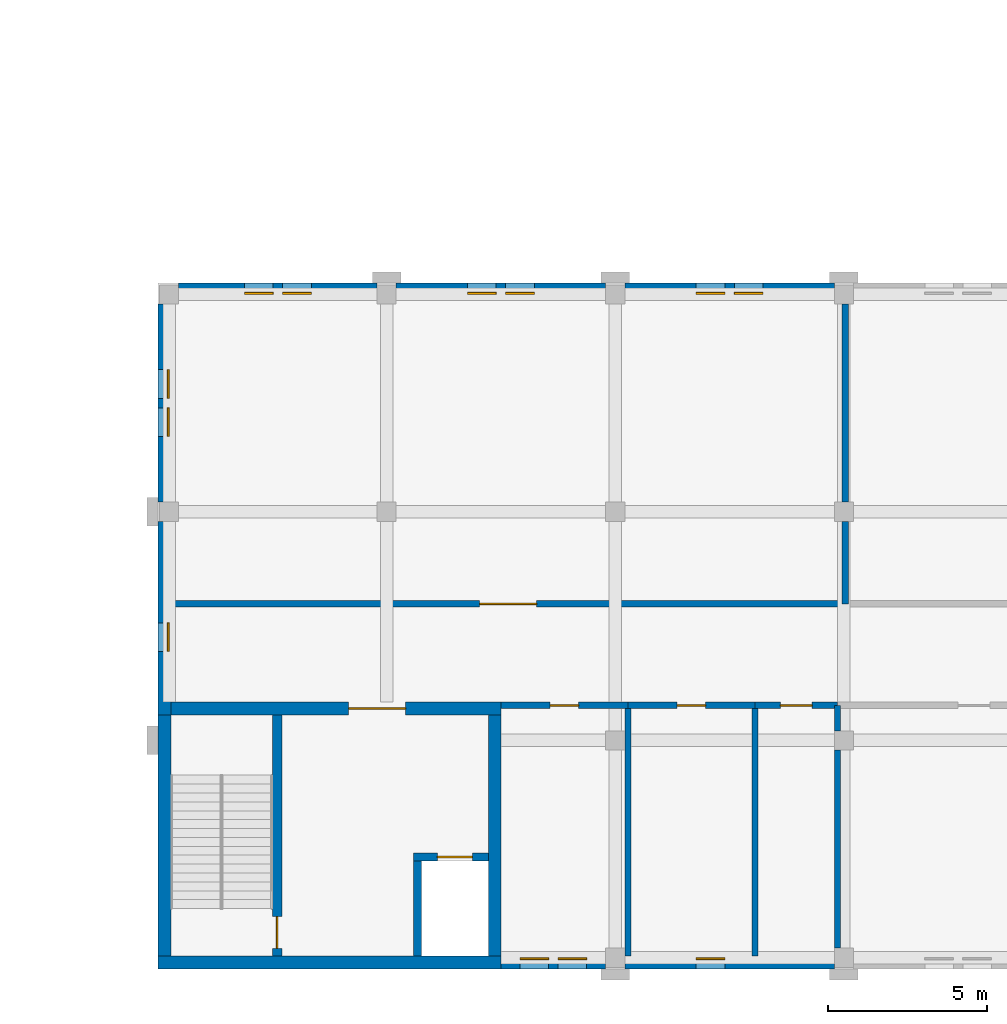
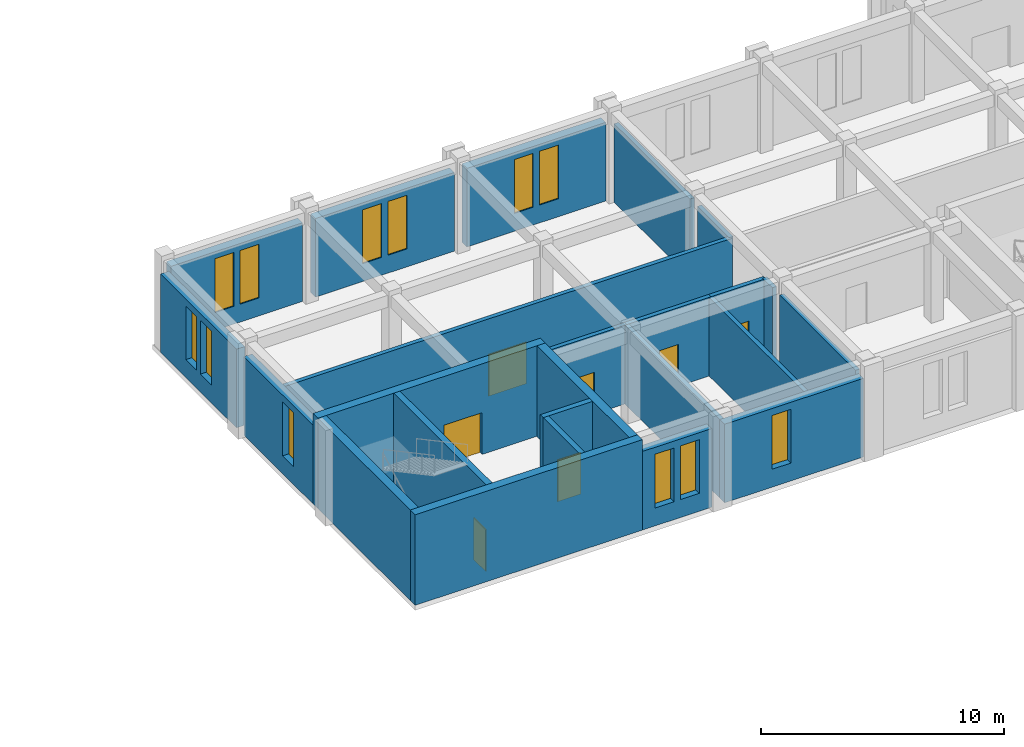
# One storey, part 136 of 149: 24 walls, 12 windows, 7 doors, 19 openings.
"""IFC4 building model written with IfcOpenShell, lengths in metres."""

import ifcopenshell
import ifcopenshell.guid

model = None  # the IFC model being written
_history = None  # IfcOwnerHistory: only IFC2X3 demands one
_inside = {}  # id of a spatial element -> (the spatial element, [elements in it])
_under = {}  # id of a project, library or spatial element -> (it, [spatial elements below it])
_declared = {}  # id of a project -> (the project, [libraries it declares])
_typed = {}  # id of a type object -> (the type object, [elements of that type])
_made_of = {}  # id of a material, layer set ... -> (it, [elements and type objects made of it])


def new_model(schema):
    """Start an empty IFC model of exactly this schema.

    Asked for "IFC4X3", IfcOpenShell would pick the latest addendum, in which some entities
    have other attributes; the version numbers below select the first issue.
    IFC2X3 requires an IfcOwnerHistory on every rooted entity: one is made here for all.
    """
    global model, _history
    if schema == "IFC4X3":
        model = ifcopenshell.file(schema_version=(4, 3, 0, 0))
    else:
        model = ifcopenshell.file(schema=schema)
    _inside.clear()
    _under.clear()
    _declared.clear()
    _typed.clear()
    _made_of.clear()
    _history = None
    if model.schema == "IFC2X3":
        org = make("IfcOrganization", Name="unknown")
        user = make(
            "IfcPersonAndOrganization",
            ThePerson=make("IfcPerson", FamilyName="unknown"),
            TheOrganization=org,
        )
        app = make(
            "IfcApplication",
            ApplicationDeveloper=org,
            Version="unknown",
            ApplicationFullName="unknown",
            ApplicationIdentifier="unknown",
        )
        _history = make(
            "IfcOwnerHistory",
            OwningUser=user,
            OwningApplication=app,
            ChangeAction="ADDED",
            CreationDate=0,
        )
    return model


def make(cls, **values):
    """One entity of the class cls with the attributes given. An attribute that is None is left unset."""
    return model.create_entity(
        cls, **{name: value for name, value in values.items() if value is not None}
    )


def rooted(cls, **values):
    """An entity with a GlobalId (a new one), such as an element, a storey or a relation."""
    return make(cls, GlobalId=ifcopenshell.guid.new(), OwnerHistory=_history, **values)


def si_unit(unit_type, name, prefix=None):
    """IfcSIUnit, for example si_unit("LENGTHUNIT", "METRE", prefix="MILLI")."""
    return make("IfcSIUnit", UnitType=unit_type, Prefix=prefix, Name=name)


def assignment(units):
    """IfcUnitAssignment: the units of a project."""
    return None if units is None else make("IfcUnitAssignment", Units=units)


def point(xyz):
    """IfcCartesianPoint."""
    return None if xyz is None else make("IfcCartesianPoint", Coordinates=xyz)


def direction(xyz):
    """IfcDirection."""
    return None if xyz is None else make("IfcDirection", DirectionRatios=xyz)


def frame(location, z_axis=None, x_axis=None):
    """IfcAxis2Placement3D, a coordinate frame: its origin and axes. An axis left out is left unset."""
    return make(
        "IfcAxis2Placement3D",
        Location=point(location),
        Axis=direction(z_axis),
        RefDirection=direction(x_axis),
    )


def frame_2d(location, x_axis=None):
    """IfcAxis2Placement2D, a coordinate frame in the plane: its origin and x axis."""
    return make(
        "IfcAxis2Placement2D", Location=point(location), RefDirection=direction(x_axis)
    )


def origin():
    """The frame at (0, 0, 0) with its axes left unset."""
    return frame((0.0, 0.0, 0.0))


def place(relative_to, where):
    """IfcLocalPlacement: puts the frame where relative to a parent placement (None: the world)."""
    return make(
        "IfcLocalPlacement", PlacementRelTo=relative_to, RelativePlacement=where
    )


def context(
    kind, dimensions, precision=None, world=None, true_north=None, identifier=None
):
    """IfcGeometricRepresentationContext, for example the 3D "Model" context."""
    return make(
        "IfcGeometricRepresentationContext",
        ContextIdentifier=identifier,
        ContextType=kind,
        CoordinateSpaceDimension=dimensions,
        Precision=precision,
        WorldCoordinateSystem=world,
        TrueNorth=true_north,
    )


def subcontext(parent, identifier, kind, view, scale=None):
    """IfcGeometricRepresentationSubContext, for example "Body" below "Model"."""
    return make(
        "IfcGeometricRepresentationSubContext",
        ContextIdentifier=identifier,
        ContextType=kind,
        ParentContext=parent,
        TargetScale=scale,
        TargetView=view,
    )


def project(units=None, contexts=None):
    """IfcProject with its units and contexts."""
    return rooted(
        "IfcProject",
        Name="project",
        RepresentationContexts=contexts,
        UnitsInContext=assignment(units),
    )


def spatial(cls, under=None, at=None, **own):
    """A site, building, storey or space (cls), placed at a placement, below another one or the project."""
    s = rooted(cls, ObjectPlacement=at, **own)
    if under is not None:
        _under.setdefault(under.id(), (under, []))[1].append(s)
    return s


def profile(cls, at=None, kind="AREA", **sizes):
    """A parametric profile (cls). Its sizes go by their IFC names, for example OverallWidth=200.0."""
    return make(cls, ProfileType=kind, Position=at, **sizes)


def rectangle(**sizes):
    """IfcRectangleProfileDef."""
    return profile("IfcRectangleProfileDef", **sizes)


def extrude(swept, where, along, depth):
    """IfcExtrudedAreaSolid: the profile swept, set in the frame where, extruded along a direction by depth."""
    return make(
        "IfcExtrudedAreaSolid",
        SweptArea=swept,
        Position=where,
        ExtrudedDirection=direction(along),
        Depth=depth,
    )


def shape(context_of_items, identifier, shape_type, items):
    """IfcShapeRepresentation: the items that make up one representation, for example the "Body"."""
    return make(
        "IfcShapeRepresentation",
        ContextOfItems=context_of_items,
        RepresentationIdentifier=identifier,
        RepresentationType=shape_type,
        Items=items,
    )


def material(Name=None, Category=None):
    """IfcMaterial."""
    return make("IfcMaterial", Name=Name, Category=Category)


def layer(
    of_material, thickness, ventilated=None, Name=None, Category=None, Priority=None
):
    """IfcMaterialLayer: one layer of a wall or slab, of a material (None: an air gap)."""
    return make(
        "IfcMaterialLayer",
        Material=of_material,
        LayerThickness=thickness,
        IsVentilated=ventilated,
        Name=Name,
        Category=Category,
        Priority=Priority,
    )


def layer_set(layers, Name=None):
    """IfcMaterialLayerSet."""
    return make("IfcMaterialLayerSet", MaterialLayers=layers, LayerSetName=Name)


def made_of(thing, what):
    """Note that an element or type object is made of a material, layer set ...; save() writes the relation."""
    if what is not None:
        _made_of.setdefault(what.id(), (what, []))[1].append(thing)
    return thing


def type_object(cls, material=None, **own):
    """A type object (cls), such as IfcWallType, which elements share."""
    return made_of(rooted(cls, **own), material)


def element(
    cls,
    number,
    at=None,
    inside=None,
    cuts=None,
    type_object=None,
    material=None,
    context=None,
    identifier="Body",
    shape_type=None,
    held_by="IfcProductDefinitionShape",
    body=None,
    shapes=None,
    **own,
):
    """One element of the class cls, such as IfcWall. Its Tag is "e" and its number.

    at: its placement. inside: the storey or other place that contains it. cuts: it is an
    opening in that element (IfcRelVoidsElement). A single representation is given by context,
    identifier, shape_type and body (its items); several are given by shapes. held_by: the class
    of the entity that holds the representations. save() writes the other relations.
    """
    e = rooted(cls, Tag="e%d" % number, ObjectPlacement=at, **own)
    if body is not None:
        shapes = [shape(context, identifier, shape_type, body)]
    if shapes is not None:
        e.Representation = make(held_by, Representations=shapes)
    if inside is not None:
        _inside.setdefault(inside.id(), (inside, []))[1].append(e)
    if cuts is not None:
        rooted(
            "IfcRelVoidsElement", RelatingBuildingElement=cuts, RelatedOpeningElement=e
        )
    if type_object is not None:
        _typed.setdefault(type_object.id(), (type_object, []))[1].append(e)
    return made_of(e, material)


def fill(opening, filler):
    """IfcRelFillsElement: the door or window that sits in an opening."""
    return rooted(
        "IfcRelFillsElement",
        RelatingOpeningElement=opening,
        RelatedBuildingElement=filler,
    )


def aggregate(whole, parts):
    """IfcRelAggregates: a whole, such as a stair, and the parts it consists of."""
    return rooted("IfcRelAggregates", RelatingObject=whole, RelatedObjects=parts)


def save(model, path):
    """Write the relations noted so far, then the file.

    IfcRelAggregates (storeys below a building ...), IfcRelContainedInSpatialStructure (elements
    in a storey), IfcRelDefinesByType, IfcRelAssociatesMaterial and IfcRelDeclares: one each for
    every whole, place, type object, material and project.
    """
    for whole, parts in _under.values():
        aggregate(whole, parts)
    for where, things in _inside.values():
        rooted(
            "IfcRelContainedInSpatialStructure",
            RelatedElements=things,
            RelatingStructure=where,
        )
    for kind, things in _typed.values():
        rooted("IfcRelDefinesByType", RelatedObjects=things, RelatingType=kind)
    for what, things in _made_of.values():
        rooted("IfcRelAssociatesMaterial", RelatedObjects=things, RelatingMaterial=what)
    for by, libraries in _declared.values():
        rooted("IfcRelDeclares", RelatingContext=by, RelatedDefinitions=libraries)
    model.write(path)


model = new_model("IFC4")

# Units and contexts
model_context = context("Model", 3, precision=1e-05, world=origin(), true_north=direction((0.0, 1.0)))
body_context = subcontext(model_context, "Body", "Model", "MODEL_VIEW")
ifc_project = project(units=[si_unit("LENGTHUNIT", "METRE"), si_unit("AREAUNIT", "SQUARE_METRE"), si_unit("VOLUMEUNIT", "CUBIC_METRE"), si_unit("PLANEANGLEUNIT", "RADIAN"), si_unit("MASSUNIT", "GRAM", prefix="KILO")], contexts=[model_context])

# Site, building, storey
site_placement = place(None, origin())
site = spatial("IfcSite", under=ifc_project, at=site_placement, CompositionType="ELEMENT")
building_placement = place(site_placement, origin())
building = spatial("IfcBuilding", under=site, at=building_placement, Name="Alderwick Market Hall", CompositionType="ELEMENT")
storey_placement = place(building_placement, frame((0.0, 0.0, 9.60009765625)))
storey = spatial("IfcBuildingStorey", under=building, at=storey_placement, Name="L01", CompositionType="ELEMENT", Elevation=9.60009765625)

# Wall, openings, windows
ifc_material_1 = material(Name="Face brick", Category="masonry")
ifc_layer_1 = layer(ifc_material_1, 0.39990234375)
ifc_layer_set_1 = layer_set([ifc_layer_1], Name="Face brick")
wall_type_1 = type_object("IfcWallType", Name="C Brick Pier Wall 400", PredefinedType="SOLIDWALL", material=ifc_layer_set_1)
wall_1_placement = place(storey_placement, frame((159.050048828125, 28.60009765625, 0.0), z_axis=(0.0, 0.0, 1.0), x_axis=(1.0, 0.0, 0.0)))
wall_1 = element("IfcWall", 1, at=wall_1_placement, inside=storey, type_object=wall_type_1, Name="C.wall.L01.fac.front.01", PredefinedType="SOLIDWALL", context=body_context, shape_type="SweptSolid", body=[
    extrude(rectangle(XDim=6.25, YDim=0.39990234375, at=frame_2d((3.125, 0.0))), origin(), (0.0, 0.0, 1.0), 3.949951171875),
])
opening_1_placement = place(wall_1_placement, frame((2.074951171875, 0.0, 0.89990234375)))
opening_1 = element("IfcOpeningElement", 2, at=opening_1_placement, cuts=wall_1, Name="Opening C-W025", PredefinedType="OPENING", context=body_context, shape_type="SweptSolid", body=[
    extrude(rectangle(XDim=0.89990234375, YDim=2.699951171875, at=frame_2d((0.449951171875, 1.35009765625))), frame((0.0, 0.2099609375, 0.0), z_axis=(0.0, -1.0, 0.0), x_axis=(1.0, 0.0, 0.0)), (0.0, 0.0, 1.0), 0.419921875),
])
opening_2_placement = place(wall_1_placement, frame((3.27490234375, 0.0, 0.89990234375)))
opening_2 = element("IfcOpeningElement", 3, at=opening_2_placement, cuts=wall_1, Name="Opening C-W026", PredefinedType="OPENING", context=body_context, shape_type="SweptSolid", body=[
    extrude(rectangle(XDim=0.89990234375, YDim=2.699951171875, at=frame_2d((0.449951171875, 1.35009765625))), frame((0.0, 0.2099609375, 0.0), z_axis=(0.0, -1.0, 0.0), x_axis=(1.0, 0.0, 0.0)), (0.0, 0.0, 1.0), 0.419921875),
])
ifc_material_2 = material(Name="Aluminium frame, double glazing", Category="aluminium")
window_type = type_object("IfcWindowType", Name="C Paired Window 900x2700", PartitioningType="SINGLE_PANEL", PredefinedType="WINDOW", material=ifc_material_2)
window_1_placement = place(opening_1_placement, origin())
window_1 = element("IfcWindow", 4, at=window_1_placement, inside=storey, type_object=window_type, Name="C.win.L01.025", OverallHeight=2.699951171875, OverallWidth=0.89990234375, PartitioningType="SINGLE_PANEL", PredefinedType="WINDOW", context=body_context, shape_type="SweptSolid", body=[
    extrude(rectangle(XDim=0.89990234375, YDim=2.699951171875, at=frame_2d((0.449951171875, 1.35009765625))), frame((0.0, -0.090087890625, 0.0), z_axis=(0.0, -1.0, 0.0), x_axis=(1.0, 0.0, 0.0)), (0.0, 0.0, 1.0), 0.06005859375),
])
fill(opening_1, window_1)
window_2_placement = place(opening_2_placement, origin())
window_2 = element("IfcWindow", 5, at=window_2_placement, inside=storey, type_object=window_type, Name="C.win.L01.026", OverallHeight=2.699951171875, OverallWidth=0.89990234375, PartitioningType="SINGLE_PANEL", PredefinedType="WINDOW", context=body_context, shape_type="SweptSolid", body=[
    extrude(rectangle(XDim=0.89990234375, YDim=2.699951171875, at=frame_2d((0.449951171875, 1.35009765625))), frame((0.0, -0.090087890625, 0.0), z_axis=(0.0, -1.0, 0.0), x_axis=(1.0, 0.0, 0.0)), (0.0, 0.0, 1.0), 0.06005859375),
])
fill(opening_2, window_2)

wall_2_placement = place(storey_placement, frame((165.89990234375, 28.60009765625, 0.0), z_axis=(0.0, 0.0, 1.0), x_axis=(1.0, 0.0, 0.0)))
wall_2 = element("IfcWall", 6, at=wall_2_placement, inside=storey, type_object=wall_type_1, Name="C.wall.L01.fac.front.02", PredefinedType="SOLIDWALL", context=body_context, shape_type="SweptSolid", body=[
    extrude(rectangle(XDim=6.60009765625, YDim=0.39990234375, at=frame_2d((3.300048828125, 0.0))), origin(), (0.0, 0.0, 1.0), 3.949951171875),
])
opening_3_placement = place(wall_2_placement, frame((2.25, 0.0, 0.89990234375)))
opening_3 = element("IfcOpeningElement", 7, at=opening_3_placement, cuts=wall_2, Name="Opening C-W027", PredefinedType="OPENING", context=body_context, shape_type="SweptSolid", body=[
    extrude(rectangle(XDim=0.89990234375, YDim=2.699951171875, at=frame_2d((0.449951171875, 1.35009765625))), frame((0.0, 0.2099609375, 0.0), z_axis=(0.0, -1.0, 0.0), x_axis=(1.0, 0.0, 0.0)), (0.0, 0.0, 1.0), 0.419921875),
])
opening_4_placement = place(wall_2_placement, frame((3.449951171875, 0.0, 0.89990234375)))
opening_4 = element("IfcOpeningElement", 8, at=opening_4_placement, cuts=wall_2, Name="Opening C-W028", PredefinedType="OPENING", context=body_context, shape_type="SweptSolid", body=[
    extrude(rectangle(XDim=0.89990234375, YDim=2.699951171875, at=frame_2d((0.449951171875, 1.35009765625))), frame((0.0, 0.2099609375, 0.0), z_axis=(0.0, -1.0, 0.0), x_axis=(1.0, 0.0, 0.0)), (0.0, 0.0, 1.0), 0.419921875),
])
window_3_placement = place(opening_3_placement, origin())
window_3 = element("IfcWindow", 9, at=window_3_placement, inside=storey, type_object=window_type, Name="C.win.L01.027", OverallHeight=2.699951171875, OverallWidth=0.89990234375, PartitioningType="SINGLE_PANEL", PredefinedType="WINDOW", context=body_context, shape_type="SweptSolid", body=[
    extrude(rectangle(XDim=0.89990234375, YDim=2.699951171875, at=frame_2d((0.449951171875, 1.35009765625))), frame((0.0, -0.090087890625, 0.0), z_axis=(0.0, -1.0, 0.0), x_axis=(1.0, 0.0, 0.0)), (0.0, 0.0, 1.0), 0.06005859375),
])
fill(opening_3, window_3)
window_4_placement = place(opening_4_placement, origin())
window_4 = element("IfcWindow", 10, at=window_4_placement, inside=storey, type_object=window_type, Name="C.win.L01.028", OverallHeight=2.699951171875, OverallWidth=0.89990234375, PartitioningType="SINGLE_PANEL", PredefinedType="WINDOW", context=body_context, shape_type="SweptSolid", body=[
    extrude(rectangle(XDim=0.89990234375, YDim=2.699951171875, at=frame_2d((0.449951171875, 1.35009765625))), frame((0.0, -0.090087890625, 0.0), z_axis=(0.0, -1.0, 0.0), x_axis=(1.0, 0.0, 0.0)), (0.0, 0.0, 1.0), 0.06005859375),
])
fill(opening_4, window_4)

wall_3_placement = place(storey_placement, frame((173.10009765625, 28.60009765625, 0.0), z_axis=(0.0, 0.0, 1.0), x_axis=(1.0, 0.0, 0.0)))
wall_3 = element("IfcWall", 11, at=wall_3_placement, inside=storey, type_object=wall_type_1, Name="C.wall.L01.fac.front.03", PredefinedType="SOLIDWALL", context=body_context, shape_type="SweptSolid", body=[
    extrude(rectangle(XDim=6.599853515625, YDim=0.39990234375, at=frame_2d((3.2998046875, 0.0))), origin(), (0.0, 0.0, 1.0), 3.949951171875),
])
opening_5_placement = place(wall_3_placement, frame((2.25, 0.0, 0.89990234375)))
opening_5 = element("IfcOpeningElement", 12, at=opening_5_placement, cuts=wall_3, Name="Opening C-W029", PredefinedType="OPENING", context=body_context, shape_type="SweptSolid", body=[
    extrude(rectangle(XDim=0.89990234375, YDim=2.699951171875, at=frame_2d((0.449951171875, 1.35009765625))), frame((0.0, 0.2099609375, 0.0), z_axis=(0.0, -1.0, 0.0), x_axis=(1.0, 0.0, 0.0)), (0.0, 0.0, 1.0), 0.419921875),
])
opening_6_placement = place(wall_3_placement, frame((3.449951171875, 0.0, 0.89990234375)))
opening_6 = element("IfcOpeningElement", 13, at=opening_6_placement, cuts=wall_3, Name="Opening C-W030", PredefinedType="OPENING", context=body_context, shape_type="SweptSolid", body=[
    extrude(rectangle(XDim=0.89990234375, YDim=2.699951171875, at=frame_2d((0.449951171875, 1.35009765625))), frame((0.0, 0.2099609375, 0.0), z_axis=(0.0, -1.0, 0.0), x_axis=(1.0, 0.0, 0.0)), (0.0, 0.0, 1.0), 0.419921875),
])
window_5_placement = place(opening_5_placement, origin())
window_5 = element("IfcWindow", 14, at=window_5_placement, inside=storey, type_object=window_type, Name="C.win.L01.029", OverallHeight=2.699951171875, OverallWidth=0.89990234375, PartitioningType="SINGLE_PANEL", PredefinedType="WINDOW", context=body_context, shape_type="SweptSolid", body=[
    extrude(rectangle(XDim=0.89990234375, YDim=2.699951171875, at=frame_2d((0.449951171875, 1.35009765625))), frame((0.0, -0.090087890625, 0.0), z_axis=(0.0, -1.0, 0.0), x_axis=(1.0, 0.0, 0.0)), (0.0, 0.0, 1.0), 0.06005859375),
])
fill(opening_5, window_5)
window_6_placement = place(opening_6_placement, origin())
window_6 = element("IfcWindow", 15, at=window_6_placement, inside=storey, type_object=window_type, Name="C.win.L01.030", OverallHeight=2.699951171875, OverallWidth=0.89990234375, PartitioningType="SINGLE_PANEL", PredefinedType="WINDOW", context=body_context, shape_type="SweptSolid", body=[
    extrude(rectangle(XDim=0.89990234375, YDim=2.699951171875, at=frame_2d((0.449951171875, 1.35009765625))), frame((0.0, -0.090087890625, 0.0), z_axis=(0.0, -1.0, 0.0), x_axis=(1.0, 0.0, 0.0)), (0.0, 0.0, 1.0), 0.06005859375),
])
fill(opening_6, window_6)

wall_4_placement = place(storey_placement, frame((172.5, 7.39990234375, 0.0), z_axis=(0.0, 0.0, 1.0), x_axis=(-1.0, 0.0, 0.0)))
wall_4 = element("IfcWall", 16, at=wall_4_placement, inside=storey, type_object=wall_type_1, Name="C.wall.L01.fac.back.02", PredefinedType="SOLIDWALL", context=body_context, shape_type="SweptSolid", body=[
    extrude(rectangle(XDim=3.300048828125, YDim=0.39990234375, at=frame_2d((1.64990234375, 0.0))), origin(), (0.0, 0.0, 1.0), 3.949951171875),
])
opening_7_placement = place(wall_4_placement, frame((0.60009765625, 0.0, 0.89990234375)))
opening_7 = element("IfcOpeningElement", 17, at=opening_7_placement, cuts=wall_4, Name="Opening C-W040", PredefinedType="OPENING", context=body_context, shape_type="SweptSolid", body=[
    extrude(rectangle(XDim=0.89990234375, YDim=2.699951171875, at=frame_2d((0.449951171875, 1.35009765625))), frame((0.0, 0.2099609375, 0.0), z_axis=(0.0, -1.0, 0.0), x_axis=(1.0, 0.0, 0.0)), (0.0, 0.0, 1.0), 0.419921875),
])
opening_8_placement = place(wall_4_placement, frame((1.800048828125, 0.0, 0.89990234375)))
opening_8 = element("IfcOpeningElement", 18, at=opening_8_placement, cuts=wall_4, Name="Opening C-W041", PredefinedType="OPENING", context=body_context, shape_type="SweptSolid", body=[
    extrude(rectangle(XDim=0.89990234375, YDim=2.699951171875, at=frame_2d((0.449951171875, 1.35009765625))), frame((0.0, 0.2099609375, 0.0), z_axis=(0.0, -1.0, 0.0), x_axis=(1.0, 0.0, 0.0)), (0.0, 0.0, 1.0), 0.419921875),
])
window_7_placement = place(opening_7_placement, origin())
window_7 = element("IfcWindow", 19, at=window_7_placement, inside=storey, type_object=window_type, Name="C.win.L01.040", OverallHeight=2.699951171875, OverallWidth=0.89990234375, PartitioningType="SINGLE_PANEL", PredefinedType="WINDOW", context=body_context, shape_type="SweptSolid", body=[
    extrude(rectangle(XDim=0.89990234375, YDim=2.699951171875, at=frame_2d((0.449951171875, 1.35009765625))), frame((0.0, -0.090087890625, 0.0), z_axis=(0.0, -1.0, 0.0), x_axis=(1.0, 0.0, 0.0)), (0.0, 0.0, 1.0), 0.06005859375),
])
fill(opening_7, window_7)
window_8_placement = place(opening_8_placement, origin())
window_8 = element("IfcWindow", 20, at=window_8_placement, inside=storey, type_object=window_type, Name="C.win.L01.041", OverallHeight=2.699951171875, OverallWidth=0.89990234375, PartitioningType="SINGLE_PANEL", PredefinedType="WINDOW", context=body_context, shape_type="SweptSolid", body=[
    extrude(rectangle(XDim=0.89990234375, YDim=2.699951171875, at=frame_2d((0.449951171875, 1.35009765625))), frame((0.0, -0.090087890625, 0.0), z_axis=(0.0, -1.0, 0.0), x_axis=(1.0, 0.0, 0.0)), (0.0, 0.0, 1.0), 0.06005859375),
])
fill(opening_8, window_8)

# Wall, opening, window
wall_5_placement = place(storey_placement, frame((179.699951171875, 7.39990234375, 0.0), z_axis=(0.0, 0.0, 1.0), x_axis=(-1.0, 0.0, 0.0)))
wall_5 = element("IfcWall", 21, at=wall_5_placement, inside=storey, type_object=wall_type_1, Name="C.wall.L01.fac.back.03", PredefinedType="SOLIDWALL", context=body_context, shape_type="SweptSolid", body=[
    extrude(rectangle(XDim=6.599853515625, YDim=0.39990234375, at=frame_2d((3.2998046875, 0.0))), origin(), (0.0, 0.0, 1.0), 3.949951171875),
])
opening_9_placement = place(wall_5_placement, frame((3.449951171875, 0.0, 0.89990234375)))
opening_9 = element("IfcOpeningElement", 22, at=opening_9_placement, cuts=wall_5, Name="Opening C-W042", PredefinedType="OPENING", context=body_context, shape_type="SweptSolid", body=[
    extrude(rectangle(XDim=0.89990234375, YDim=2.699951171875, at=frame_2d((0.449951171875, 1.35009765625))), frame((0.0, 0.2099609375, 0.0), z_axis=(0.0, -1.0, 0.0), x_axis=(1.0, 0.0, 0.0)), (0.0, 0.0, 1.0), 0.419921875),
])
window_9_placement = place(opening_9_placement, origin())
window_9 = element("IfcWindow", 23, at=window_9_placement, inside=storey, type_object=window_type, Name="C.win.L01.042", OverallHeight=2.699951171875, OverallWidth=0.89990234375, PartitioningType="SINGLE_PANEL", PredefinedType="WINDOW", context=body_context, shape_type="SweptSolid", body=[
    extrude(rectangle(XDim=0.89990234375, YDim=2.699951171875, at=frame_2d((0.449951171875, 1.35009765625))), frame((0.0, -0.090087890625, 0.0), z_axis=(0.0, -1.0, 0.0), x_axis=(1.0, 0.0, 0.0)), (0.0, 0.0, 1.0), 0.06005859375),
])
fill(opening_9, window_9)

# Walls
ifc_material_3 = material(Name="Concrete 5000 psi (f'c 35 MPa)", Category="concrete")
ifc_layer_2 = layer(ifc_material_3, 0.39990234375)
ifc_layer_set_2 = layer_set([ifc_layer_2], Name="Concrete 5000 psi (f'c 35 MPa)")
wall_type_2 = type_object("IfcWallType", Name="C Core Wall Concrete 5000 psi 400", PredefinedType="SHEAR", material=ifc_layer_set_2)
wall_6_placement = place(storey_placement, frame((158.60009765625, 7.60009765625, 0.0), z_axis=(0.0, 0.0, 1.0), x_axis=(0.0, 1.0, 0.0)))
element("IfcWall", 24, at=wall_6_placement, inside=storey, type_object=wall_type_2, Name="C.wall.L01.fac.west.03", PredefinedType="SHEAR", context=body_context, shape_type="SweptSolid", body=[
    extrude(rectangle(XDim=7.599853515625, YDim=0.39990234375, at=frame_2d((3.7998046875, 0.0))), origin(), (0.0, 0.0, 1.0), 4.5498046875),
])
wall_7_placement = place(storey_placement, frame((169.199951171875, 7.39990234375, 0.0), z_axis=(0.0, 0.0, 1.0), x_axis=(-1.0, 0.0, 0.0)))
element("IfcWall", 25, at=wall_7_placement, inside=storey, type_object=wall_type_2, Name="C.wall.L01.fac.back.01", PredefinedType="SHEAR", context=body_context, shape_type="SweptSolid", body=[
    extrude(rectangle(XDim=10.800048828125, YDim=0.39990234375, at=frame_2d((5.39990234375, 0.0))), origin(), (0.0, 0.0, 1.0), 4.5498046875),
])

# Wall, opening, door
wall_8_placement = place(storey_placement, frame((158.39990234375, 15.39990234375, 0.0), z_axis=(0.0, 0.0, 1.0), x_axis=(1.0, 0.0, 0.0)))
wall_8 = element("IfcWall", 26, at=wall_8_placement, inside=storey, type_object=wall_type_2, Name="C.wall.L01.core.A.front.01", PredefinedType="SHEAR", context=body_context, shape_type="SweptSolid", body=[
    extrude(rectangle(XDim=10.800048828125, YDim=0.39990234375, at=frame_2d((5.39990234375, 0.0))), origin(), (0.0, 0.0, 1.0), 4.5498046875),
])
opening_10_placement = place(wall_8_placement, frame((6.0, 0.0, 0.0)))
opening_10 = element("IfcOpeningElement", 27, at=opening_10_placement, cuts=wall_8, Name="Opening C-D055", PredefinedType="OPENING", context=body_context, shape_type="SweptSolid", body=[
    extrude(rectangle(XDim=1.800048828125, YDim=2.10009765625, at=frame_2d((0.89990234375, 1.050048828125))), frame((0.0, 0.2099609375, 0.0), z_axis=(0.0, -1.0, 0.0), x_axis=(1.0, 0.0, 0.0)), (0.0, 0.0, 1.0), 0.419921875),
])
ifc_material_4 = material(Name="Steel, insulated", Category="steel")
door_type_1 = type_object("IfcDoorType", Name="C Fire Door Pair FD90 1800x2100", OperationType="NOTDEFINED", PredefinedType="DOOR", material=ifc_material_4)
door_1_placement = place(opening_10_placement, origin())
door_1 = element("IfcDoor", 28, at=door_1_placement, inside=storey, type_object=door_type_1, Name="C.door.L01.055", OperationType="NOTDEFINED", OverallHeight=2.10009765625, OverallWidth=1.800048828125, PredefinedType="DOOR", context=body_context, shape_type="SweptSolid", body=[
    extrude(rectangle(XDim=1.800048828125, YDim=2.10009765625, at=frame_2d((0.89990234375, 1.050048828125))), frame((0.0, 0.02490234375, 0.0), z_axis=(0.0, -1.0, 0.0), x_axis=(1.0, 0.0, 0.0)), (0.0, 0.0, 1.0), 0.050048828125),
])
fill(opening_10, door_1)

# Wall
wall_9_placement = place(storey_placement, frame((169.0, 15.199951171875, 0.0), z_axis=(0.0, 0.0, 1.0), x_axis=(0.0, -1.0, 0.0)))
element("IfcWall", 29, at=wall_9_placement, inside=storey, type_object=wall_type_2, Name="C.wall.L01.core.A.east.01", PredefinedType="SHEAR", context=body_context, shape_type="SweptSolid", body=[
    extrude(rectangle(XDim=7.599853515625, YDim=0.39990234375, at=frame_2d((3.7998046875, 0.0))), origin(), (0.0, 0.0, 1.0), 4.5498046875),
])

# Wall, openings, windows
ifc_layer_3 = layer(ifc_material_3, 0.39990234375)
ifc_layer_set_3 = layer_set([ifc_layer_3], Name="Concrete 5000 psi (f'c 35 MPa)")
wall_type_3 = type_object("IfcWallType", Name="C End Shear Wall Concrete 5000 psi 400", PredefinedType="SHEAR", material=ifc_layer_set_3)
wall_10_placement = place(storey_placement, frame((158.60009765625, 21.89990234375, 0.0), z_axis=(0.0, 0.0, 1.0), x_axis=(0.0, 1.0, 0.0)))
wall_10 = element("IfcWall", 30, at=wall_10_placement, inside=storey, type_object=wall_type_3, Name="C.wall.L01.fac.west.01", PredefinedType="SHEAR", context=body_context, shape_type="SweptSolid", body=[
    extrude(rectangle(XDim=6.25, YDim=0.39990234375, at=frame_2d((3.125, 0.0))), origin(), (0.0, 0.0, 1.0), 3.949951171875),
])
opening_11_placement = place(wall_10_placement, frame((2.074951171875, 0.0, 0.89990234375)))
opening_11 = element("IfcOpeningElement", 31, at=opening_11_placement, cuts=wall_10, Name="Opening C-W037", PredefinedType="OPENING", context=body_context, shape_type="SweptSolid", body=[
    extrude(rectangle(XDim=0.89990234375, YDim=2.699951171875, at=frame_2d((0.449951171875, 1.35009765625))), frame((0.0, 0.2099609375, 0.0), z_axis=(0.0, -1.0, 0.0), x_axis=(1.0, 0.0, 0.0)), (0.0, 0.0, 1.0), 0.419921875),
])
opening_12_placement = place(wall_10_placement, frame((3.27490234375, 0.0, 0.89990234375)))
opening_12 = element("IfcOpeningElement", 32, at=opening_12_placement, cuts=wall_10, Name="Opening C-W038", PredefinedType="OPENING", context=body_context, shape_type="SweptSolid", body=[
    extrude(rectangle(XDim=0.89990234375, YDim=2.699951171875, at=frame_2d((0.449951171875, 1.35009765625))), frame((0.0, 0.2099609375, 0.0), z_axis=(0.0, -1.0, 0.0), x_axis=(1.0, 0.0, 0.0)), (0.0, 0.0, 1.0), 0.419921875),
])
window_10_placement = place(opening_11_placement, origin())
window_10 = element("IfcWindow", 33, at=window_10_placement, inside=storey, type_object=window_type, Name="C.win.L01.037", OverallHeight=2.699951171875, OverallWidth=0.89990234375, PartitioningType="SINGLE_PANEL", PredefinedType="WINDOW", context=body_context, shape_type="SweptSolid", body=[
    extrude(rectangle(XDim=0.89990234375, YDim=2.699951171875, at=frame_2d((0.449951171875, 1.35009765625))), frame((0.0, -0.090087890625, 0.0), z_axis=(0.0, -1.0, 0.0), x_axis=(1.0, 0.0, 0.0)), (0.0, 0.0, 1.0), 0.06005859375),
])
fill(opening_11, window_10)
window_11_placement = place(opening_12_placement, origin())
window_11 = element("IfcWindow", 34, at=window_11_placement, inside=storey, type_object=window_type, Name="C.win.L01.038", OverallHeight=2.699951171875, OverallWidth=0.89990234375, PartitioningType="SINGLE_PANEL", PredefinedType="WINDOW", context=body_context, shape_type="SweptSolid", body=[
    extrude(rectangle(XDim=0.89990234375, YDim=2.699951171875, at=frame_2d((0.449951171875, 1.35009765625))), frame((0.0, -0.090087890625, 0.0), z_axis=(0.0, -1.0, 0.0), x_axis=(1.0, 0.0, 0.0)), (0.0, 0.0, 1.0), 0.06005859375),
])
fill(opening_12, window_11)

# Wall, opening, window
wall_11_placement = place(storey_placement, frame((158.60009765625, 15.199951171875, 0.0), z_axis=(0.0, 0.0, 1.0), x_axis=(0.0, 1.0, 0.0)))
wall_11 = element("IfcWall", 35, at=wall_11_placement, inside=storey, type_object=wall_type_3, Name="C.wall.L01.fac.west.02", PredefinedType="SHEAR", context=body_context, shape_type="SweptSolid", body=[
    extrude(rectangle(XDim=6.10009765625, YDim=0.39990234375, at=frame_2d((3.050048828125, 0.0))), origin(), (0.0, 0.0, 1.0), 3.949951171875),
])
opening_13_placement = place(wall_11_placement, frame((2.0, 0.0, 0.89990234375)))
opening_13 = element("IfcOpeningElement", 36, at=opening_13_placement, cuts=wall_11, Name="Opening C-W039", PredefinedType="OPENING", context=body_context, shape_type="SweptSolid", body=[
    extrude(rectangle(XDim=0.89990234375, YDim=2.699951171875, at=frame_2d((0.449951171875, 1.35009765625))), frame((0.0, 0.2099609375, 0.0), z_axis=(0.0, -1.0, 0.0), x_axis=(1.0, 0.0, 0.0)), (0.0, 0.0, 1.0), 0.419921875),
])
window_12_placement = place(opening_13_placement, origin())
window_12 = element("IfcWindow", 37, at=window_12_placement, inside=storey, type_object=window_type, Name="C.win.L01.039", OverallHeight=2.699951171875, OverallWidth=0.89990234375, PartitioningType="SINGLE_PANEL", PredefinedType="WINDOW", context=body_context, shape_type="SweptSolid", body=[
    extrude(rectangle(XDim=0.89990234375, YDim=2.699951171875, at=frame_2d((0.449951171875, 1.35009765625))), frame((0.0, -0.090087890625, 0.0), z_axis=(0.0, -1.0, 0.0), x_axis=(1.0, 0.0, 0.0)), (0.0, 0.0, 1.0), 0.06005859375),
])
fill(opening_13, window_12)

# Wall, opening, door
ifc_material_5 = material(Name="Gypsum board on steel studs", Category="steel")
ifc_layer_4 = layer(ifc_material_5, 0.199951171875)
ifc_layer_set_4 = layer_set([ifc_layer_4], Name="Gypsum board on steel studs")
wall_type_4 = type_object("IfcWallType", Name="C Fire Partition Wall 200", PredefinedType="PARTITIONING", material=ifc_layer_set_4)
wall_12_placement = place(storey_placement, frame((158.800048828125, 18.699951171875, 0.0), z_axis=(0.0, 0.0, 1.0), x_axis=(1.0, 0.0, 0.0)))
wall_12 = element("IfcWall", 38, at=wall_12_placement, inside=storey, type_object=wall_type_4, Name="C.wall.L01.part.001", PredefinedType="PARTITIONING", context=body_context, shape_type="SweptSolid", body=[
    extrude(rectangle(XDim=21.25, YDim=0.199951171875, at=frame_2d((10.625, 0.0))), origin(), (0.0, 0.0, 1.0), 3.949951171875),
])
opening_14_placement = place(wall_12_placement, frame((9.72509765625, 0.0, 0.0)))
opening_14 = element("IfcOpeningElement", 39, at=opening_14_placement, cuts=wall_12, Name="Opening C-D062", PredefinedType="OPENING", context=body_context, shape_type="SweptSolid", body=[
    extrude(rectangle(XDim=1.800048828125, YDim=2.10009765625, at=frame_2d((0.89990234375, 1.050048828125))), frame((0.0, 0.10986328125, 0.0), z_axis=(0.0, -1.0, 0.0), x_axis=(1.0, 0.0, 0.0)), (0.0, 0.0, 1.0), 0.219970703125),
])
door_type_2 = type_object("IfcDoorType", Name="C Fire Door Pair FD60 1800x2100", OperationType="NOTDEFINED", PredefinedType="DOOR", material=ifc_material_4)
door_2_placement = place(opening_14_placement, origin())
door_2 = element("IfcDoor", 40, at=door_2_placement, inside=storey, type_object=door_type_2, Name="C.door.L01.062", OperationType="NOTDEFINED", OverallHeight=2.10009765625, OverallWidth=1.800048828125, PredefinedType="DOOR", context=body_context, shape_type="SweptSolid", body=[
    extrude(rectangle(XDim=1.800048828125, YDim=2.10009765625, at=frame_2d((0.89990234375, 1.050048828125))), frame((0.0, 0.02490234375, 0.0), z_axis=(0.0, -1.0, 0.0), x_axis=(1.0, 0.0, 0.0)), (0.0, 0.0, 1.0), 0.050048828125),
])
fill(opening_14, door_2)

# Walls
wall_13_placement = place(storey_placement, frame((180.050048828125, 28.14990234375, 0.0), z_axis=(0.0, 0.0, 1.0), x_axis=(0.0, -1.0, 0.0)))
element("IfcWall", 41, at=wall_13_placement, inside=storey, type_object=wall_type_4, Name="C.wall.L01.part.015", PredefinedType="PARTITIONING", context=body_context, shape_type="SweptSolid", body=[
    extrude(rectangle(XDim=6.25, YDim=0.199951171875, at=frame_2d((3.125, 0.0))), origin(), (0.0, 0.0, 1.0), 3.949951171875),
])
wall_14_placement = place(storey_placement, frame((180.050048828125, 21.300048828125, 0.0), z_axis=(0.0, 0.0, 1.0), x_axis=(0.0, -1.0, 0.0)))
element("IfcWall", 42, at=wall_14_placement, inside=storey, type_object=wall_type_4, Name="C.wall.L01.part.016", PredefinedType="PARTITIONING", context=body_context, shape_type="SweptSolid", body=[
    extrude(rectangle(XDim=2.60009765625, YDim=0.199951171875, at=frame_2d((1.300048828125, 0.0))), origin(), (0.0, 0.0, 1.0), 3.949951171875),
])
ifc_layer_5 = layer(ifc_material_3, 0.25)
ifc_layer_set_5 = layer_set([ifc_layer_5], Name="Concrete 5000 psi (f'c 35 MPa)")
wall_type_5 = type_object("IfcWallType", Name="C Lift Shaft Wall Concrete 5000 psi 250", PredefinedType="SHEAR", material=ifc_layer_set_5)
wall_15_placement = place(storey_placement, frame((166.574951171875, 10.85009765625, 0.0), z_axis=(0.0, 0.0, 1.0), x_axis=(0.0, -1.0, 0.0)))
element("IfcWall", 43, at=wall_15_placement, inside=storey, type_object=wall_type_5, Name="C.wall.L01.core.A.shaftw.01", PredefinedType="SHEAR", context=body_context, shape_type="SweptSolid", body=[
    extrude(rectangle(XDim=3.25, YDim=0.25, at=frame_2d((1.625, 0.0))), origin(), (0.0, 0.0, 1.0), 4.5498046875),
])

# Wall, opening, door
wall_16_placement = place(storey_placement, frame((166.449951171875, 10.72509765625, 0.0), z_axis=(0.0, 0.0, 1.0), x_axis=(1.0, 0.0, 0.0)))
wall_16 = element("IfcWall", 44, at=wall_16_placement, inside=storey, type_object=wall_type_5, Name="C.wall.L01.core.A.shaftf.01", PredefinedType="SHEAR", context=body_context, shape_type="SweptSolid", body=[
    extrude(rectangle(XDim=2.35009765625, YDim=0.25, at=frame_2d((1.175048828125, 0.0))), origin(), (0.0, 0.0, 1.0), 4.5498046875),
])
opening_15_placement = place(wall_16_placement, frame((0.75, 0.0, 0.0)))
opening_15 = element("IfcOpeningElement", 45, at=opening_15_placement, cuts=wall_16, Name="Opening C-D056", PredefinedType="OPENING", context=body_context, shape_type="SweptSolid", body=[
    extrude(rectangle(XDim=1.10009765625, YDim=2.10009765625, at=frame_2d((0.550048828125, 1.050048828125))), frame((0.0, 0.135009765625, 0.0), z_axis=(0.0, -1.0, 0.0), x_axis=(1.0, 0.0, 0.0)), (0.0, 0.0, 1.0), 0.27001953125),
])
ifc_material_6 = material(Name="Stainless steel", Category="steel")
door_type_3 = type_object("IfcDoorType", Name="C Lift Landing Door 1100x2100", OperationType="SLIDING_TO_LEFT", PredefinedType="DOOR", material=ifc_material_6)
door_3_placement = place(opening_15_placement, origin())
door_3 = element("IfcDoor", 46, at=door_3_placement, inside=storey, type_object=door_type_3, Name="C.door.L01.056", OperationType="SLIDING_TO_LEFT", OverallHeight=2.10009765625, OverallWidth=1.10009765625, PredefinedType="DOOR", context=body_context, shape_type="SweptSolid", body=[
    extrude(rectangle(XDim=1.10009765625, YDim=2.10009765625, at=frame_2d((0.550048828125, 1.050048828125))), frame((0.0, 0.02490234375, 0.0), z_axis=(0.0, -1.0, 0.0), x_axis=(1.0, 0.0, 0.0)), (0.0, 0.0, 1.0), 0.050048828125),
])
fill(opening_15, door_3)

ifc_layer_6 = layer(ifc_material_5, 0.199951171875)
ifc_layer_set_6 = layer_set([ifc_layer_6], Name="Gypsum board on steel studs")
wall_type_6 = type_object("IfcWallType", Name="C Partition Wall 200", PredefinedType="PARTITIONING", material=ifc_layer_set_6)
wall_17_placement = place(storey_placement, frame((169.199951171875, 15.5, 0.0), z_axis=(0.0, 0.0, 1.0), x_axis=(1.0, 0.0, 0.0)))
wall_17 = element("IfcWall", 47, at=wall_17_placement, inside=storey, type_object=wall_type_6, Name="C.wall.L01.part.005", PredefinedType="PARTITIONING", context=body_context, shape_type="SweptSolid", body=[
    extrude(rectangle(XDim=4.0, YDim=0.199951171875, at=frame_2d((2.0, 0.0))), origin(), (0.0, 0.0, 1.0), 3.949951171875),
])
opening_16_placement = place(wall_17_placement, frame((1.550048828125, 0.0, 0.0)))
opening_16 = element("IfcOpeningElement", 48, at=opening_16_placement, cuts=wall_17, Name="Opening C-D066", PredefinedType="OPENING", context=body_context, shape_type="SweptSolid", body=[
    extrude(rectangle(XDim=0.89990234375, YDim=2.10009765625, at=frame_2d((0.449951171875, 1.050048828125))), frame((0.0, 0.10986328125, 0.0), z_axis=(0.0, -1.0, 0.0), x_axis=(1.0, 0.0, 0.0)), (0.0, 0.0, 1.0), 0.219970703125),
])
ifc_material_7 = material(Name="Timber, solid core", Category="wood")
door_type_4 = type_object("IfcDoorType", Name="C Door 900x2100", OperationType="NOTDEFINED", PredefinedType="DOOR", material=ifc_material_7)
door_4_placement = place(opening_16_placement, origin())
door_4 = element("IfcDoor", 49, at=door_4_placement, inside=storey, type_object=door_type_4, Name="C.door.L01.066", OperationType="NOTDEFINED", OverallHeight=2.10009765625, OverallWidth=0.89990234375, PredefinedType="DOOR", context=body_context, shape_type="SweptSolid", body=[
    extrude(rectangle(XDim=0.89990234375, YDim=2.10009765625, at=frame_2d((0.449951171875, 1.050048828125))), frame((0.0, 0.02490234375, 0.0), z_axis=(0.0, -1.0, 0.0), x_axis=(1.0, 0.0, 0.0)), (0.0, 0.0, 1.0), 0.050048828125),
])
fill(opening_16, door_4)

wall_18_placement = place(storey_placement, frame((173.199951171875, 15.5, 0.0), z_axis=(0.0, 0.0, 1.0), x_axis=(1.0, 0.0, 0.0)))
wall_18 = element("IfcWall", 50, at=wall_18_placement, inside=storey, type_object=wall_type_6, Name="C.wall.L01.part.006", PredefinedType="PARTITIONING", context=body_context, shape_type="SweptSolid", body=[
    extrude(rectangle(XDim=4.0, YDim=0.199951171875, at=frame_2d((2.0, 0.0))), origin(), (0.0, 0.0, 1.0), 3.949951171875),
])
opening_17_placement = place(wall_18_placement, frame((1.550048828125, 0.0, 0.0)))
opening_17 = element("IfcOpeningElement", 51, at=opening_17_placement, cuts=wall_18, Name="Opening C-D067", PredefinedType="OPENING", context=body_context, shape_type="SweptSolid", body=[
    extrude(rectangle(XDim=0.89990234375, YDim=2.10009765625, at=frame_2d((0.449951171875, 1.050048828125))), frame((0.0, 0.10986328125, 0.0), z_axis=(0.0, -1.0, 0.0), x_axis=(1.0, 0.0, 0.0)), (0.0, 0.0, 1.0), 0.219970703125),
])
door_5_placement = place(opening_17_placement, origin())
door_5 = element("IfcDoor", 52, at=door_5_placement, inside=storey, type_object=door_type_4, Name="C.door.L01.067", OperationType="NOTDEFINED", OverallHeight=2.10009765625, OverallWidth=0.89990234375, PredefinedType="DOOR", context=body_context, shape_type="SweptSolid", body=[
    extrude(rectangle(XDim=0.89990234375, YDim=2.10009765625, at=frame_2d((0.449951171875, 1.050048828125))), frame((0.0, 0.02490234375, 0.0), z_axis=(0.0, -1.0, 0.0), x_axis=(1.0, 0.0, 0.0)), (0.0, 0.0, 1.0), 0.050048828125),
])
fill(opening_17, door_5)

wall_19_placement = place(storey_placement, frame((177.199951171875, 15.5, 0.0), z_axis=(0.0, 0.0, 1.0), x_axis=(1.0, 0.0, 0.0)))
wall_19 = element("IfcWall", 53, at=wall_19_placement, inside=storey, type_object=wall_type_6, Name="C.wall.L01.part.007", PredefinedType="PARTITIONING", context=body_context, shape_type="SweptSolid", body=[
    extrude(rectangle(XDim=2.60009765625, YDim=0.199951171875, at=frame_2d((1.300048828125, 0.0))), origin(), (0.0, 0.0, 1.0), 3.949951171875),
])
opening_18_placement = place(wall_19_placement, frame((0.800048828125, 0.0, 0.0)))
opening_18 = element("IfcOpeningElement", 54, at=opening_18_placement, cuts=wall_19, Name="Opening C-D068", PredefinedType="OPENING", context=body_context, shape_type="SweptSolid", body=[
    extrude(rectangle(XDim=1.0, YDim=2.10009765625, at=frame_2d((0.5, 1.050048828125))), frame((0.0, 0.10986328125, 0.0), z_axis=(0.0, -1.0, 0.0), x_axis=(1.0, 0.0, 0.0)), (0.0, 0.0, 1.0), 0.219970703125),
])
door_type_5 = type_object("IfcDoorType", Name="C Door 1000x2100", OperationType="NOTDEFINED", PredefinedType="DOOR", material=ifc_material_7)
door_6_placement = place(opening_18_placement, origin())
door_6 = element("IfcDoor", 55, at=door_6_placement, inside=storey, type_object=door_type_5, Name="C.door.L01.068", OperationType="NOTDEFINED", OverallHeight=2.10009765625, OverallWidth=1.0, PredefinedType="DOOR", context=body_context, shape_type="SweptSolid", body=[
    extrude(rectangle(XDim=1.0, YDim=2.10009765625, at=frame_2d((0.5, 1.050048828125))), frame((0.0, 0.02490234375, 0.0), z_axis=(0.0, -1.0, 0.0), x_axis=(1.0, 0.0, 0.0)), (0.0, 0.0, 1.0), 0.050048828125),
])
fill(opening_18, door_6)

# Walls
for number, where, z_axis, x_axis, name in (
    (56, (173.199951171875, 15.5, 0.0), (0.0, 0.0, 1.0), (0.0, -1.0, 0.0), "C.wall.L01.part.011"),
    (57, (177.199951171875, 15.5, 0.0), (0.0, 0.0, 1.0), (0.0, -1.0, 0.0), "C.wall.L01.part.012"),
):
    element("IfcWall", number, at=place(storey_placement, frame(where, z_axis=z_axis, x_axis=x_axis)), inside=storey, type_object=wall_type_6, Name=name, PredefinedType="PARTITIONING", context=body_context, shape_type="SweptSolid", body=[
        extrude(rectangle(XDim=7.89990234375, YDim=0.199951171875, at=frame_2d((3.949951171875, 0.0))), origin(), (0.0, 0.0, 1.0), 3.949951171875),
    ])
wall_20_placement = place(storey_placement, frame((179.800048828125, 15.5, 0.0), z_axis=(0.0, 0.0, 1.0), x_axis=(0.0, -1.0, 0.0)))
element("IfcWall", 58, at=wall_20_placement, inside=storey, type_object=wall_type_6, Name="C.wall.L01.part.013", PredefinedType="PARTITIONING", context=body_context, shape_type="SweptSolid", body=[
    extrude(rectangle(XDim=0.800048828125, YDim=0.199951171875, at=frame_2d((0.39990234375, 0.0))), origin(), (0.0, 0.0, 1.0), 3.949951171875),
])
wall_21_placement = place(storey_placement, frame((179.800048828125, 14.10009765625, 0.0), z_axis=(0.0, 0.0, 1.0), x_axis=(0.0, -1.0, 0.0)))
element("IfcWall", 59, at=wall_21_placement, inside=storey, type_object=wall_type_6, Name="C.wall.L01.part.014", PredefinedType="PARTITIONING", context=body_context, shape_type="SweptSolid", body=[
    extrude(rectangle(XDim=6.25, YDim=0.199951171875, at=frame_2d((3.125, 0.0))), origin(), (0.0, 0.0, 1.0), 3.949951171875),
])

# Wall, opening, door
ifc_layer_7 = layer(ifc_material_3, 0.300048828125)
ifc_layer_set_7 = layer_set([ifc_layer_7], Name="Concrete 5000 psi (f'c 35 MPa)")
wall_type_7 = type_object("IfcWallType", Name="C Stair Divider Wall Concrete 5000 psi 300", PredefinedType="SHEAR", material=ifc_layer_set_7)
wall_22_placement = place(storey_placement, frame((162.14990234375, 15.199951171875, 0.0), z_axis=(0.0, 0.0, 1.0), x_axis=(0.0, -1.0, 0.0)))
wall_22 = element("IfcWall", 60, at=wall_22_placement, inside=storey, type_object=wall_type_7, Name="C.wall.L01.core.A.div.01", PredefinedType="SHEAR", context=body_context, shape_type="SweptSolid", body=[
    extrude(rectangle(XDim=7.599853515625, YDim=0.300048828125, at=frame_2d((3.7998046875, 0.0))), origin(), (0.0, 0.0, 1.0), 4.5498046875),
])
opening_19_placement = place(wall_22_placement, frame((6.35009765625, 0.0, 0.0)))
opening_19 = element("IfcOpeningElement", 61, at=opening_19_placement, cuts=wall_22, Name="Opening C-D054", PredefinedType="OPENING", context=body_context, shape_type="SweptSolid", body=[
    extrude(rectangle(XDim=1.0, YDim=2.10009765625, at=frame_2d((0.5, 1.050048828125))), frame((0.0, 0.159912109375, 0.0), z_axis=(0.0, -1.0, 0.0), x_axis=(1.0, 0.0, 0.0)), (0.0, 0.0, 1.0), 0.320068359375),
])
door_type_6 = type_object("IfcDoorType", Name="C Fire Door FD90 1000x2100", OperationType="NOTDEFINED", PredefinedType="DOOR", material=ifc_material_4)
door_7_placement = place(opening_19_placement, origin())
door_7 = element("IfcDoor", 62, at=door_7_placement, inside=storey, type_object=door_type_6, Name="C.door.L01.054", OperationType="NOTDEFINED", OverallHeight=2.10009765625, OverallWidth=1.0, PredefinedType="DOOR", context=body_context, shape_type="SweptSolid", body=[
    extrude(rectangle(XDim=1.0, YDim=2.10009765625, at=frame_2d((0.5, 1.050048828125))), frame((0.0, 0.02490234375, 0.0), z_axis=(0.0, -1.0, 0.0), x_axis=(1.0, 0.0, 0.0)), (0.0, 0.0, 1.0), 0.050048828125),
])
fill(opening_19, door_7)

save(model, "model.ifc")
